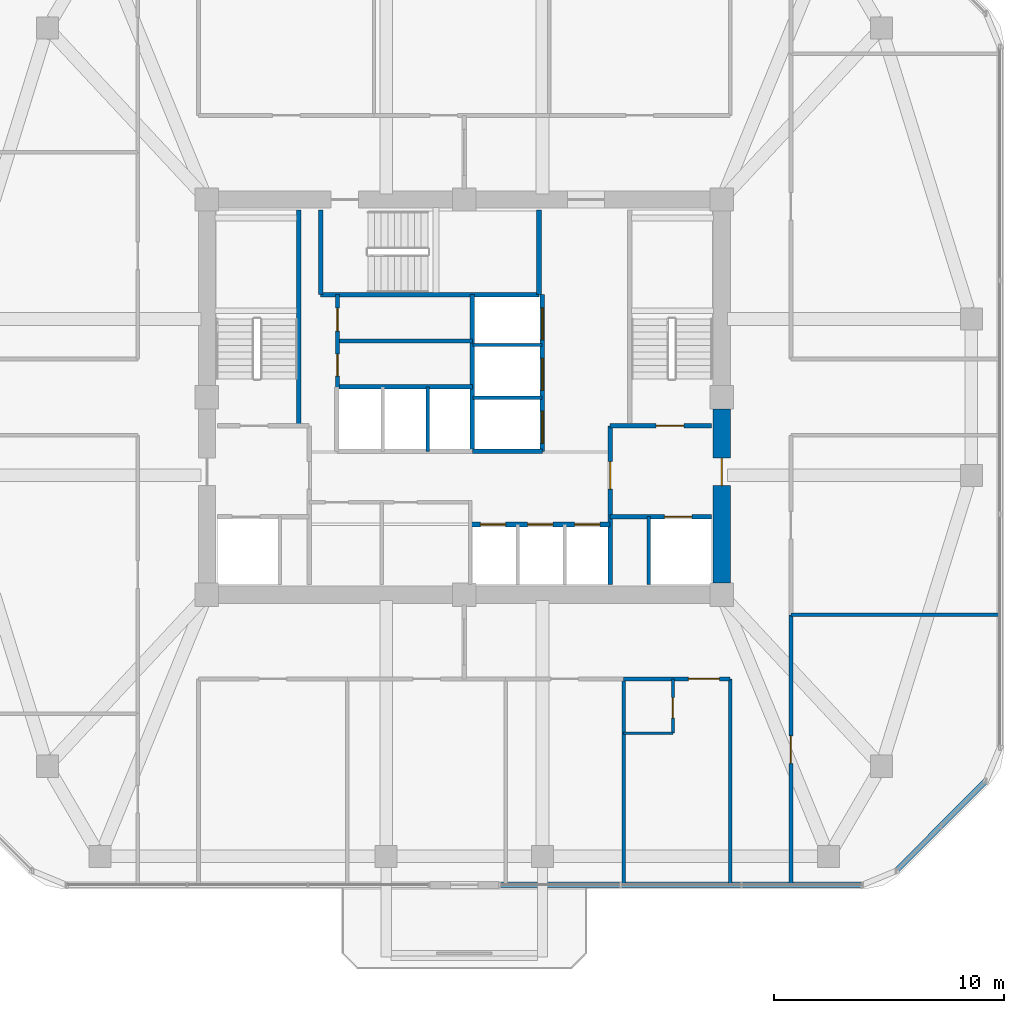
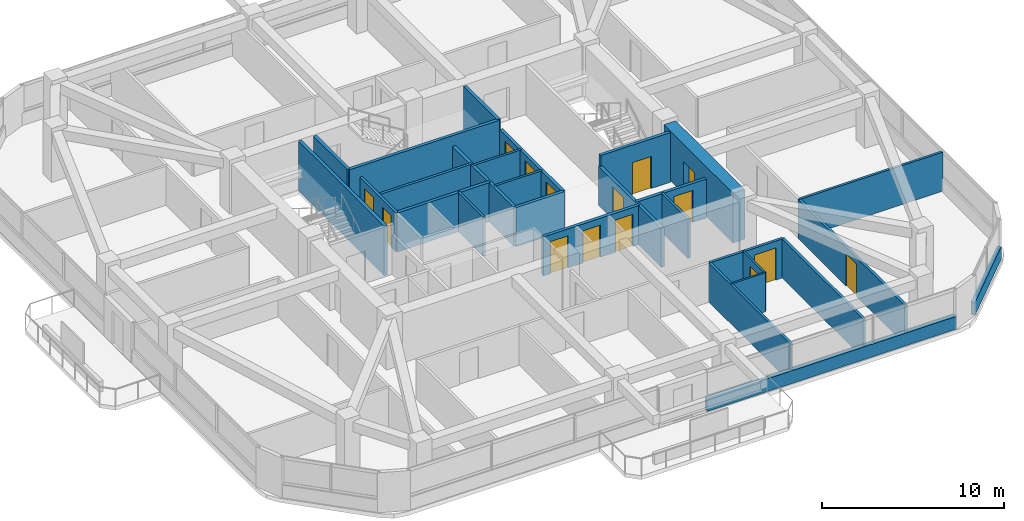
# One storey, part 8 of 12: 28 walls, 15 doors, 15 openings.
"""IFC4 building model written with IfcOpenShell, lengths in metres."""

from ifc_helpers import new_model, si_unit, derived_unit, direction, frame, frame_2d, origin, place, context, subcontext, project, spatial, rectangle, extrude, material, layer, layer_set, type_object, element, fill, save


model = new_model("IFC4")

# Units and contexts
model_context = context("Model", 3, precision=1e-05, world=origin(), true_north=direction((0.0, 1.0)))
body_context = subcontext(model_context, "Body", "Model", "MODEL_VIEW")
ifc_project = project(units=[si_unit("LENGTHUNIT", "METRE"), si_unit("AREAUNIT", "SQUARE_METRE"), si_unit("VOLUMEUNIT", "CUBIC_METRE"), si_unit("PLANEANGLEUNIT", "RADIAN"), si_unit("MASSUNIT", "GRAM", prefix="KILO"), derived_unit("THERMALTRANSMITTANCEUNIT", [(si_unit("POWERUNIT", "WATT"), 1), (si_unit("LENGTHUNIT", "METRE"), -2), (si_unit("THERMODYNAMICTEMPERATUREUNIT", "KELVIN"), -1)])], contexts=[model_context])

# Site, building, storey
site_placement = place(None, origin())
site = spatial("IfcSite", under=ifc_project, at=site_placement, CompositionType="ELEMENT")
building_placement = place(site_placement, origin())
building = spatial("IfcBuilding", under=site, at=building_placement, Name="Koralith Skygarden Medical Center", CompositionType="ELEMENT")
storey_placement = place(building_placement, frame((0.0, 0.0, 163.6201171875)))
storey = spatial("IfcBuildingStorey", under=building, at=storey_placement, Name="L42", CompositionType="ELEMENT", Elevation=163.6201171875)

# Walls
ifc_material_1 = material(Name="Gypsum Board Partition")
ifc_layer_1 = layer(ifc_material_1, 0.14990234375)
ifc_layer_set_1 = layer_set([ifc_layer_1], Name="Gypsum Board Partition")
wall_type_1 = type_object("IfcWallType", Name="Clinical Acoustic Partition 150", PredefinedType="PARTITIONING", material=ifc_layer_set_1)
wall_1_placement = place(storey_placement, frame((43.93603515625, 13.639892578125, 0.0), z_axis=(0.0, 0.0, 1.0), x_axis=(0.0, -1.0, 0.0)))
element("IfcWall", 1, at=wall_1_placement, inside=storey, type_object=wall_type_1, Name="L42 Clinical Acoustic Partition 150 W-PART-L42-S-03", PredefinedType="PARTITIONING", context=body_context, shape_type="SweptSolid", body=[
    extrude(rectangle(XDim=8.93994140625, YDim=0.14990234375, at=frame_2d((4.469970703125, 0.0))), origin(), (0.0, 0.0, 1.0), 2.60986328125),
])
wall_2_placement = place(storey_placement, frame((51.2099609375, 16.424072265625, 0.0), z_axis=(0.0, 0.0, 1.0), x_axis=(1.0, 0.0, 0.0)))
element("IfcWall", 2, at=wall_2_placement, inside=storey, type_object=wall_type_1, Name="L42 Clinical Acoustic Partition 150 W-PART-L42-ES-01", PredefinedType="PARTITIONING", context=body_context, shape_type="SweptSolid", body=[
    extrude(rectangle(XDim=9.073974609375, YDim=0.14990234375, at=frame_2d((4.537109375, 0.0))), origin(), (0.0, 0.0, 1.0), 2.60986328125),
])
ifc_layer_2 = layer(ifc_material_1, 0.1650390625)
ifc_layer_set_2 = layer_set([ifc_layer_2], Name="Gypsum Board Partition")
wall_type_2 = type_object("IfcWallType", Name="Clinical Corridor Partition 165", PredefinedType="PARTITIONING", material=ifc_layer_set_2)
wall_3_placement = place(storey_placement, frame((48.570068359375, 4.699951171875, 0.0), z_axis=(0.0, 0.0, 1.0), x_axis=(0.0, 1.0, 0.0)))
element("IfcWall", 3, at=wall_3_placement, inside=storey, type_object=wall_type_2, Name="L42 Clinical Corridor Partition 165 W-HCOR-L42-SE", PredefinedType="PARTITIONING", context=body_context, shape_type="SweptSolid", body=[
    extrude(rectangle(XDim=8.93994140625, YDim=0.1650390625, at=frame_2d((4.469970703125, 0.0))), origin(), (0.0, 0.0, 1.0), 2.60986328125),
])

# Wall, opening, door
wall_4_placement = place(storey_placement, frame((43.93603515625, 13.639892578125, 0.0), z_axis=(0.0, 0.0, 1.0), x_axis=(1.0, 0.0, 0.0)))
wall_4 = element("IfcWall", 4, at=wall_4_placement, inside=storey, type_object=wall_type_2, Name="L42 Clinical Corridor Partition 165 W-CORR-L42-S-04", PredefinedType="PARTITIONING", context=body_context, shape_type="SweptSolid", body=[
    extrude(rectangle(XDim=4.634033203125, YDim=0.1650390625, at=frame_2d((2.31689453125, 0.0))), origin(), (0.0, 0.0, 1.0), 2.60986328125),
])
opening_1_placement = place(wall_4_placement, frame((2.81005859375, 0.0, 0.0)))
opening_1 = element("IfcOpeningElement", 5, at=opening_1_placement, cuts=wall_4, Name="Opening D-BED", PredefinedType="OPENING", context=body_context, shape_type="SweptSolid", body=[
    extrude(rectangle(XDim=1.35009765625, YDim=2.14990234375, at=frame_2d((0.675048828125, 1.074951171875))), frame((0.0, 0.092529296875, 0.0), z_axis=(0.0, -1.0, 0.0), x_axis=(1.0, 0.0, 0.0)), (0.0, 0.0, 1.0), 0.18505859375),
])
ifc_material_2 = material(Name="Aluminium 6063-T6", Category="aluminium")
door_type_1 = type_object("IfcDoorType", Name="Inpatient Bed Leaf Door D-BED 1350", OperationType="NOTDEFINED", PredefinedType="DOOR", material=ifc_material_2)
door_1_placement = place(opening_1_placement, frame((1.35009765625, 0.0, 0.0), z_axis=(0.0, 0.0, 1.0), x_axis=(-1.0, 0.0, 0.0)))
door_1 = element("IfcDoor", 6, at=door_1_placement, inside=storey, type_object=door_type_1, Name="L42 Inpatient Bedroom 07 Door", OperationType="SINGLE_SWING_RIGHT", OverallHeight=2.14990234375, OverallWidth=1.35009765625, PredefinedType="DOOR", context=body_context, shape_type="SweptSolid", body=[
    extrude(rectangle(XDim=1.35009765625, YDim=2.14990234375, at=frame_2d((0.675048828125, 1.074951171875))), frame((0.0, 0.02490234375, 0.0), z_axis=(0.0, -1.0, 0.0), x_axis=(1.0, 0.0, 0.0)), (0.0, 0.0, 1.0), 0.050048828125),
])
fill(opening_1, door_1)

wall_5_placement = place(storey_placement, frame((51.2099609375, 4.699951171875, 0.0), z_axis=(0.0, 0.0, 1.0), x_axis=(0.0, 1.0, 0.0)))
wall_5 = element("IfcWall", 7, at=wall_5_placement, inside=storey, type_object=wall_type_2, Name="L42 Clinical Corridor Partition 165 W-CORR-L42-ES-01", PredefinedType="PARTITIONING", context=body_context, shape_type="SweptSolid", body=[
    extrude(rectangle(XDim=11.72412109375, YDim=0.1650390625, at=frame_2d((5.862060546875, 0.0))), origin(), (0.0, 0.0, 1.0), 2.60986328125),
])
opening_2_placement = place(wall_5_placement, frame((5.261962890625, 0.0, 0.0)))
opening_2 = element("IfcOpeningElement", 8, at=opening_2_placement, cuts=wall_5, Name="Opening D-CLN", PredefinedType="OPENING", context=body_context, shape_type="SweptSolid", body=[
    extrude(rectangle(XDim=1.199951171875, YDim=2.14990234375, at=frame_2d((0.60009765625, 1.074951171875))), frame((0.0, 0.092529296875, 0.0), z_axis=(0.0, -1.0, 0.0), x_axis=(1.0, 0.0, 0.0)), (0.0, 0.0, 1.0), 0.18505859375),
])
door_type_2 = type_object("IfcDoorType", Name="Clinical Corridor Door D-CLN 1200", OperationType="NOTDEFINED", PredefinedType="DOOR", material=ifc_material_2)
door_2_placement = place(opening_2_placement, origin())
door_2 = element("IfcDoor", 9, at=door_2_placement, inside=storey, type_object=door_type_2, Name="L42 Perinatal Ultrasound Exam Room 12 Door", OperationType="SINGLE_SWING_LEFT", OverallHeight=2.14990234375, OverallWidth=1.199951171875, PredefinedType="DOOR", context=body_context, shape_type="SweptSolid", body=[
    extrude(rectangle(XDim=1.199951171875, YDim=2.14990234375, at=frame_2d((0.60009765625, 1.074951171875))), frame((0.0, 0.02490234375, 0.0), z_axis=(0.0, -1.0, 0.0), x_axis=(1.0, 0.0, 0.0)), (0.0, 0.0, 1.0), 0.050048828125),
])
fill(opening_2, door_2)

ifc_layer_3 = layer(ifc_material_1, 0.199951171875)
ifc_layer_set_3 = layer_set([ifc_layer_3], Name="Gypsum Board Partition")
wall_type_3 = type_object("IfcWallType", Name="Fire Shaft Wall 200", PredefinedType="SOLIDWALL", material=ifc_layer_set_3)
wall_6_placement = place(storey_placement, frame((43.35009765625, 20.699951171875, 0.0), z_axis=(0.0, 0.0, 1.0), x_axis=(1.0, 0.0, 0.0)))
wall_6 = element("IfcWall", 10, at=wall_6_placement, inside=storey, type_object=wall_type_3, Name="L42 Fire Shaft Wall 200 W-CORE-L42-FF2-N", PredefinedType="SOLIDWALL", context=body_context, shape_type="SweptSolid", body=[
    extrude(rectangle(XDim=4.39990234375, YDim=0.199951171875, at=frame_2d((2.199951171875, 0.0))), origin(), (0.0, 0.0, 1.0), 2.60986328125),
])
opening_3_placement = place(wall_6_placement, frame((2.35009765625, 0.0, 0.0)))
opening_3 = element("IfcOpeningElement", 11, at=opening_3_placement, cuts=wall_6, Name="Opening LD-FF", PredefinedType="OPENING", context=body_context, shape_type="SweptSolid", body=[
    extrude(rectangle(XDim=1.199951171875, YDim=2.14990234375, at=frame_2d((0.60009765625, 1.074951171875))), frame((0.0, 0.10986328125, 0.0), z_axis=(0.0, -1.0, 0.0), x_axis=(1.0, 0.0, 0.0)), (0.0, 0.0, 1.0), 0.219970703125),
])
ifc_material_3 = material(Name="Steel ASTM A500 Grade C", Category="steel")
door_type_3 = type_object("IfcDoorType", Name="Fire Lift Sliding Landing Door LD-FF 1200", OperationType="NOTDEFINED", PredefinedType="DOOR", material=ifc_material_3)
door_3_placement = place(opening_3_placement, origin())
door_3 = element("IfcDoor", 12, at=door_3_placement, inside=storey, type_object=door_type_3, Name="L42 Fire Service Elevator FF2 Landing Door", OperationType="SLIDING_TO_RIGHT", OverallHeight=2.14990234375, OverallWidth=1.199951171875, PredefinedType="DOOR", context=body_context, shape_type="SweptSolid", body=[
    extrude(rectangle(XDim=1.199951171875, YDim=2.14990234375, at=frame_2d((0.60009765625, 1.074951171875))), frame((0.0, 0.02490234375, 0.0), z_axis=(0.0, -1.0, 0.0), x_axis=(1.0, 0.0, 0.0)), (0.0, 0.0, 1.0), 0.050048828125),
])
fill(opening_3, door_3)

wall_7_placement = place(storey_placement, frame((43.35009765625, 17.75, 0.0), z_axis=(0.0, 0.0, 1.0), x_axis=(0.0, 1.0, 0.0)))
wall_7 = element("IfcWall", 13, at=wall_7_placement, inside=storey, type_object=wall_type_3, Name="L42 Fire Shaft Wall 200 W-CORE-L42-FSAEE-W", PredefinedType="SOLIDWALL", context=body_context, shape_type="SweptSolid", body=[
    extrude(rectangle(XDim=6.89990234375, YDim=0.199951171875, at=frame_2d((3.449951171875, 0.0))), origin(), (0.0, 0.0, 1.0), 2.60986328125),
])
opening_4_placement = place(wall_7_placement, frame((4.14990234375, 0.0, 0.0)))
opening_4 = element("IfcOpeningElement", 14, at=opening_4_placement, cuts=wall_7, Name="Opening D-ST60", PredefinedType="OPENING", context=body_context, shape_type="SweptSolid", body=[
    extrude(rectangle(XDim=1.199951171875, YDim=2.14990234375, at=frame_2d((0.60009765625, 1.074951171875))), frame((0.0, 0.10986328125, 0.0), z_axis=(0.0, -1.0, 0.0), x_axis=(1.0, 0.0, 0.0)), (0.0, 0.0, 1.0), 0.219970703125),
])
door_type_4 = type_object("IfcDoorType", Name="Smokeproof Stair Fire Door FD60S 1200", OperationType="NOTDEFINED", PredefinedType="DOOR", material=ifc_material_3)
door_4_placement = place(opening_4_placement, frame((1.199951171875, 0.0, 0.0), z_axis=(0.0, 0.0, 1.0), x_axis=(-1.0, 0.0, 0.0)))
door_4 = element("IfcDoor", 15, at=door_4_placement, inside=storey, type_object=door_type_4, Name="L42 East Firefighting Lobby Inner Fire Door", OperationType="SINGLE_SWING_RIGHT", OverallHeight=2.14990234375, OverallWidth=1.199951171875, PredefinedType="DOOR", context=body_context, shape_type="SweptSolid", body=[
    extrude(rectangle(XDim=1.199951171875, YDim=2.14990234375, at=frame_2d((0.60009765625, 1.074951171875))), frame((0.0, 0.02490234375, 0.0), z_axis=(0.0, -1.0, 0.0), x_axis=(1.0, 0.0, 0.0)), (0.0, 0.0, 1.0), 0.050048828125),
])
fill(opening_4, door_4)

# Wall, openings, doors
wall_8_placement = place(storey_placement, frame((37.25, 20.360107421875, 0.0), z_axis=(0.0, 0.0, 1.0), x_axis=(1.0, 0.0, 0.0)))
wall_8 = element("IfcWall", 16, at=wall_8_placement, inside=storey, type_object=wall_type_3, Name="L42 Fire Shaft Wall 200 W-CORE-L42-PM-N", PredefinedType="SOLIDWALL", context=body_context, shape_type="SweptSolid", body=[
    extrude(rectangle(XDim=6.10009765625, YDim=0.199951171875, at=frame_2d((3.050048828125, 0.0))), origin(), (0.0, 0.0, 1.0), 2.60986328125),
])
opening_5_placement = place(wall_8_placement, frame((0.449951171875, 0.0, 0.0)))
opening_5 = element("IfcOpeningElement", 17, at=opening_5_placement, cuts=wall_8, Name="Opening LD-P", PredefinedType="OPENING", context=body_context, shape_type="SweptSolid", body=[
    extrude(rectangle(XDim=1.10009765625, YDim=2.14990234375, at=frame_2d((0.550048828125, 1.074951171875))), frame((0.0, 0.10986328125, 0.0), z_axis=(0.0, -1.0, 0.0), x_axis=(1.0, 0.0, 0.0)), (0.0, 0.0, 1.0), 0.219970703125),
])
opening_6_placement = place(wall_8_placement, frame((2.5, 0.0, 0.0)))
opening_6 = element("IfcOpeningElement", 18, at=opening_6_placement, cuts=wall_8, Name="Opening LD-P", PredefinedType="OPENING", context=body_context, shape_type="SweptSolid", body=[
    extrude(rectangle(XDim=1.10009765625, YDim=2.14990234375, at=frame_2d((0.550048828125, 1.074951171875))), frame((0.0, 0.10986328125, 0.0), z_axis=(0.0, -1.0, 0.0), x_axis=(1.0, 0.0, 0.0)), (0.0, 0.0, 1.0), 0.219970703125),
])
opening_7_placement = place(wall_8_placement, frame((4.550048828125, 0.0, 0.0)))
opening_7 = element("IfcOpeningElement", 19, at=opening_7_placement, cuts=wall_8, Name="Opening LD-P", PredefinedType="OPENING", context=body_context, shape_type="SweptSolid", body=[
    extrude(rectangle(XDim=1.10009765625, YDim=2.14990234375, at=frame_2d((0.550048828125, 1.074951171875))), frame((0.0, 0.10986328125, 0.0), z_axis=(0.0, -1.0, 0.0), x_axis=(1.0, 0.0, 0.0)), (0.0, 0.0, 1.0), 0.219970703125),
])
door_type_5 = type_object("IfcDoorType", Name="Passenger Lift Sliding Landing Door LD-P 1100", OperationType="NOTDEFINED", PredefinedType="DOOR", material=ifc_material_3)
door_5_placement = place(opening_5_placement, origin())
door_5 = element("IfcDoor", 20, at=door_5_placement, inside=storey, type_object=door_type_5, Name="L42 Passenger Elevator PM1 Landing Door", OperationType="SLIDING_TO_LEFT", OverallHeight=2.14990234375, OverallWidth=1.10009765625, PredefinedType="DOOR", context=body_context, shape_type="SweptSolid", body=[
    extrude(rectangle(XDim=1.10009765625, YDim=2.14990234375, at=frame_2d((0.550048828125, 1.074951171875))), frame((0.0, 0.02490234375, 0.0), z_axis=(0.0, -1.0, 0.0), x_axis=(1.0, 0.0, 0.0)), (0.0, 0.0, 1.0), 0.050048828125),
])
fill(opening_5, door_5)
door_6_placement = place(opening_6_placement, origin())
door_6 = element("IfcDoor", 21, at=door_6_placement, inside=storey, type_object=door_type_5, Name="L42 Passenger Elevator PM2 Landing Door", OperationType="SLIDING_TO_LEFT", OverallHeight=2.14990234375, OverallWidth=1.10009765625, PredefinedType="DOOR", context=body_context, shape_type="SweptSolid", body=[
    extrude(rectangle(XDim=1.10009765625, YDim=2.14990234375, at=frame_2d((0.550048828125, 1.074951171875))), frame((0.0, 0.02490234375, 0.0), z_axis=(0.0, -1.0, 0.0), x_axis=(1.0, 0.0, 0.0)), (0.0, 0.0, 1.0), 0.050048828125),
])
fill(opening_6, door_6)
door_7_placement = place(opening_7_placement, origin())
door_7 = element("IfcDoor", 22, at=door_7_placement, inside=storey, type_object=door_type_5, Name="L42 Passenger Elevator PM3 Landing Door", OperationType="SLIDING_TO_LEFT", OverallHeight=2.14990234375, OverallWidth=1.10009765625, PredefinedType="DOOR", context=body_context, shape_type="SweptSolid", body=[
    extrude(rectangle(XDim=1.10009765625, YDim=2.14990234375, at=frame_2d((0.550048828125, 1.074951171875))), frame((0.0, 0.02490234375, 0.0), z_axis=(0.0, -1.0, 0.0), x_axis=(1.0, 0.0, 0.0)), (0.0, 0.0, 1.0), 0.050048828125),
])
fill(opening_7, door_7)

# Walls
wall_9_placement = place(storey_placement, frame((31.449951171875, 26.35009765625, 0.0), z_axis=(0.0, 0.0, 1.0), x_axis=(1.0, 0.0, 0.0)))
element("IfcWall", 23, at=wall_9_placement, inside=storey, type_object=wall_type_3, Name="L42 Fire Shaft Wall 200 W-CORE-L42-PH-N", PredefinedType="SOLIDWALL", context=body_context, shape_type="SweptSolid", body=[
    extrude(rectangle(XDim=5.900146484375, YDim=0.199951171875, at=frame_2d((2.9501953125, 0.0))), origin(), (0.0, 0.0, 1.0), 2.60986328125),
])
wall_10_placement = place(storey_placement, frame((37.35009765625, 23.5400390625, 0.0), z_axis=(0.0, 0.0, 1.0), x_axis=(0.0, 1.0, 0.0)))
element("IfcWall", 24, at=wall_10_placement, inside=storey, type_object=wall_type_3, Name="L42 Fire Shaft Wall 200 W-CORE-L42-SV-W", PredefinedType="SOLIDWALL", context=body_context, shape_type="SweptSolid", body=[
    extrude(rectangle(XDim=6.820068359375, YDim=0.199951171875, at=frame_2d((3.41015625, 0.0))), origin(), (0.0, 0.0, 1.0), 2.60986328125),
])
wall_11_placement = place(storey_placement, frame((37.35009765625, 23.5400390625, 0.0), z_axis=(0.0, 0.0, 1.0), x_axis=(1.0, 0.0, 0.0)))
element("IfcWall", 25, at=wall_11_placement, inside=storey, type_object=wall_type_3, Name="L42 Fire Shaft Wall 200 W-CORE-L42-SV-S", PredefinedType="SOLIDWALL", context=body_context, shape_type="SweptSolid", body=[
    extrude(rectangle(XDim=3.0498046875, YDim=0.199951171875, at=frame_2d((1.52490234375, 0.0))), origin(), (0.0, 0.0, 1.0), 2.60986328125),
])

# Wall, openings, doors
wall_12_placement = place(storey_placement, frame((40.39990234375, 23.5400390625, 0.0), z_axis=(0.0, 0.0, 1.0), x_axis=(0.0, 1.0, 0.0)))
wall_12 = element("IfcWall", 26, at=wall_12_placement, inside=storey, type_object=wall_type_3, Name="L42 Fire Shaft Wall 200 W-CORE-L42-SV-E", PredefinedType="SOLIDWALL", context=body_context, shape_type="SweptSolid", body=[
    extrude(rectangle(XDim=6.820068359375, YDim=0.199951171875, at=frame_2d((3.41015625, 0.0))), origin(), (0.0, 0.0, 1.0), 2.60986328125),
])
opening_8_placement = place(wall_12_placement, frame((0.35009765625, 0.0, 0.0)))
opening_8 = element("IfcOpeningElement", 27, at=opening_8_placement, cuts=wall_12, Name="Opening LD-SV", PredefinedType="OPENING", context=body_context, shape_type="SweptSolid", body=[
    extrude(rectangle(XDim=1.39990234375, YDim=2.199951171875, at=frame_2d((0.699951171875, 1.10009765625))), frame((0.0, 0.10986328125, 0.0), z_axis=(0.0, -1.0, 0.0), x_axis=(1.0, 0.0, 0.0)), (0.0, 0.0, 1.0), 0.219970703125),
])
opening_9_placement = place(wall_12_placement, frame((2.64990234375, 0.0, 0.0)))
opening_9 = element("IfcOpeningElement", 28, at=opening_9_placement, cuts=wall_12, Name="Opening LD-SV", PredefinedType="OPENING", context=body_context, shape_type="SweptSolid", body=[
    extrude(rectangle(XDim=1.39990234375, YDim=2.199951171875, at=frame_2d((0.699951171875, 1.10009765625))), frame((0.0, 0.10986328125, 0.0), z_axis=(0.0, -1.0, 0.0), x_axis=(1.0, 0.0, 0.0)), (0.0, 0.0, 1.0), 0.219970703125),
])
opening_10_placement = place(wall_12_placement, frame((4.85009765625, 0.0, 0.0)))
opening_10 = element("IfcOpeningElement", 29, at=opening_10_placement, cuts=wall_12, Name="Opening LD-SV", PredefinedType="OPENING", context=body_context, shape_type="SweptSolid", body=[
    extrude(rectangle(XDim=1.39990234375, YDim=2.199951171875, at=frame_2d((0.699951171875, 1.10009765625))), frame((0.0, 0.10986328125, 0.0), z_axis=(0.0, -1.0, 0.0), x_axis=(1.0, 0.0, 0.0)), (0.0, 0.0, 1.0), 0.219970703125),
])
door_type_6 = type_object("IfcDoorType", Name="Bed Lift Sliding Landing Door LD-SV 1400", OperationType="NOTDEFINED", PredefinedType="DOOR", material=ifc_material_3)
door_8_placement = place(opening_8_placement, origin())
door_8 = element("IfcDoor", 30, at=door_8_placement, inside=storey, type_object=door_type_6, Name="L42 Bed Elevator BD1 Landing Door", OperationType="SLIDING_TO_LEFT", OverallHeight=2.199951171875, OverallWidth=1.39990234375, PredefinedType="DOOR", context=body_context, shape_type="SweptSolid", body=[
    extrude(rectangle(XDim=1.39990234375, YDim=2.199951171875, at=frame_2d((0.699951171875, 1.10009765625))), frame((0.0, 0.02490234375, 0.0), z_axis=(0.0, -1.0, 0.0), x_axis=(1.0, 0.0, 0.0)), (0.0, 0.0, 1.0), 0.050048828125),
])
fill(opening_8, door_8)
door_9_placement = place(opening_9_placement, origin())
door_9 = element("IfcDoor", 31, at=door_9_placement, inside=storey, type_object=door_type_6, Name="L42 Service Elevator BD2 Landing Door", OperationType="SLIDING_TO_LEFT", OverallHeight=2.199951171875, OverallWidth=1.39990234375, PredefinedType="DOOR", context=body_context, shape_type="SweptSolid", body=[
    extrude(rectangle(XDim=1.39990234375, YDim=2.199951171875, at=frame_2d((0.699951171875, 1.10009765625))), frame((0.0, 0.02490234375, 0.0), z_axis=(0.0, -1.0, 0.0), x_axis=(1.0, 0.0, 0.0)), (0.0, 0.0, 1.0), 0.050048828125),
])
fill(opening_9, door_9)
door_10_placement = place(opening_10_placement, origin())
door_10 = element("IfcDoor", 32, at=door_10_placement, inside=storey, type_object=door_type_6, Name="L42 Trauma Elevator TR1 Landing Door", OperationType="SLIDING_TO_RIGHT", OverallHeight=2.199951171875, OverallWidth=1.39990234375, PredefinedType="DOOR", context=body_context, shape_type="SweptSolid", body=[
    extrude(rectangle(XDim=1.39990234375, YDim=2.199951171875, at=frame_2d((0.699951171875, 1.10009765625))), frame((0.0, 0.02490234375, 0.0), z_axis=(0.0, -1.0, 0.0), x_axis=(1.0, 0.0, 0.0)), (0.0, 0.0, 1.0), 0.050048828125),
])
fill(opening_10, door_10)

# Walls
ifc_material_4 = material(Name="Warm Oolitic Limestone Cladding", Category="masonry")
ifc_layer_4 = layer(ifc_material_4, 0.239990234375)
ifc_layer_set_4 = layer_set([ifc_layer_4], Name="Warm Oolitic Limestone Cladding")
wall_type_4 = type_object("IfcWallType", Name="Limestone Spandrel Sill Backup Wall 240", PredefinedType="SOLIDWALL", material=ifc_layer_set_4)
wall_13_placement = place(storey_placement, frame((38.5390625, 4.679931640625, 0.0), z_axis=(0.0, 0.0, 1.0), x_axis=(1.0, 0.0, 0.0)))
element("IfcWall", 33, at=wall_13_placement, inside=storey, type_object=wall_type_4, Name="L42 Sill Spandrel S-R", PredefinedType="SOLIDWALL", context=body_context, shape_type="SweptSolid", body=[
    extrude(rectangle(XDim=15.7900390625, YDim=0.239990234375, at=frame_2d((7.89501953125, 0.0))), origin(), (0.0, 0.0, 1.0), 0.849853515625),
])
wall_14_placement = place(storey_placement, frame((55.780029296875, 5.281005859375, 0.0), z_axis=(0.0, 0.0, 1.0), x_axis=(0.707084777957, 0.707128783731, 0.0)))
element("IfcWall", 34, at=wall_14_placement, inside=storey, type_object=wall_type_4, Name="L42 Sill Spandrel SE", PredefinedType="SOLIDWALL", context=body_context, shape_type="SweptSolid", body=[
    extrude(rectangle(XDim=5.5478515625, YDim=0.239990234375, at=frame_2d((2.77392578125, 0.0))), origin(), (0.0, 0.0, 1.0), 0.849853515625),
])

# Wall, opening, door
ifc_material_5 = material(Name="Concrete C70/85", Category="concrete")
ifc_layer_5 = layer(ifc_material_5, 0.75)
ifc_layer_set_5 = layer_set([ifc_layer_5], Name="Concrete C70/85")
wall_type_5 = type_object("IfcWallType", Name="Mid Core Shear Wall 750", PredefinedType="SHEAR", material=ifc_layer_set_5)
wall_15_placement = place(storey_placement, frame((48.199951171875, 17.804931640625, 0.0), z_axis=(0.0, 0.0, 1.0), x_axis=(0.0, 1.0, 0.0)))
wall_15 = element("IfcWall", 35, at=wall_15_placement, inside=storey, type_object=wall_type_5, Name="L42 Core Shear Wall Segment 3", PredefinedType="SHEAR", context=body_context, shape_type="SweptSolid", body=[
    extrude(rectangle(XDim=7.590087890625, YDim=0.75, at=frame_2d((3.794921875, 0.0))), origin(), (0.0, 0.0, 1.0), 3.31982421875),
])
opening_11_placement = place(wall_15_placement, frame((4.2451171875, 0.0, 0.0)))
opening_11 = element("IfcOpeningElement", 36, at=opening_11_placement, cuts=wall_15, Name="Opening D-ST60", PredefinedType="OPENING", context=body_context, shape_type="SweptSolid", body=[
    extrude(rectangle(XDim=1.199951171875, YDim=2.14990234375, at=frame_2d((0.60009765625, 1.074951171875))), frame((0.0, 0.385009765625, 0.0), z_axis=(0.0, -1.0, 0.0), x_axis=(1.0, 0.0, 0.0)), (0.0, 0.0, 1.0), 0.77001953125),
])
door_11_placement = place(opening_11_placement, frame((1.199951171875, 0.0, 0.0), z_axis=(0.0, 0.0, 1.0), x_axis=(-1.0, 0.0, 0.0)))
door_11 = element("IfcDoor", 37, at=door_11_placement, inside=storey, type_object=door_type_4, Name="L42 East Corridor to Firefighting Lobby Door", OperationType="SINGLE_SWING_RIGHT", OverallHeight=2.14990234375, OverallWidth=1.199951171875, PredefinedType="DOOR", context=body_context, shape_type="SweptSolid", body=[
    extrude(rectangle(XDim=1.199951171875, YDim=2.14990234375, at=frame_2d((0.60009765625, 1.074951171875))), frame((0.0, 0.02490234375, 0.0), z_axis=(0.0, -1.0, 0.0), x_axis=(1.0, 0.0, 0.0)), (0.0, 0.0, 1.0), 0.050048828125),
])
fill(opening_11, door_11)

ifc_layer_6 = layer(ifc_material_1, 0.1201171875)
ifc_layer_set_6 = layer_set([ifc_layer_6], Name="Gypsum Board Partition")
wall_type_6 = type_object("IfcWallType", Name="Plumbing Wet Wall 120", PredefinedType="PLUMBINGWALL", material=ifc_layer_set_6)
wall_16_placement = place(storey_placement, frame((46.075927734375, 11.280029296875, 0.0), z_axis=(0.0, 0.0, 1.0), x_axis=(0.0, 1.0, 0.0)))
wall_16 = element("IfcWall", 38, at=wall_16_placement, inside=storey, type_object=wall_type_6, Name="L42 Plumbing Wet Wall 120 W-ENS-L42-07A", PredefinedType="PLUMBINGWALL", context=body_context, shape_type="SweptSolid", body=[
    extrude(rectangle(XDim=2.35986328125, YDim=0.1201171875, at=frame_2d((1.179931640625, 0.0))), origin(), (0.0, 0.0, 1.0), 2.60986328125),
])
opening_12_placement = place(wall_16_placement, frame((0.64990234375, 0.0, 0.0)))
opening_12 = element("IfcOpeningElement", 39, at=opening_12_placement, cuts=wall_16, Name="Opening D-ENS", PredefinedType="OPENING", context=body_context, shape_type="SweptSolid", body=[
    extrude(rectangle(XDim=0.89990234375, YDim=2.10009765625, at=frame_2d((0.449951171875, 1.050048828125))), frame((0.0, 0.070068359375, 0.0), z_axis=(0.0, -1.0, 0.0), x_axis=(1.0, 0.0, 0.0)), (0.0, 0.0, 1.0), 0.14013671875),
])
door_type_7 = type_object("IfcDoorType", Name="En-Suite Bathroom Door D-ENS 900", OperationType="NOTDEFINED", PredefinedType="DOOR", material=ifc_material_2)
door_12_placement = place(opening_12_placement, frame((0.89990234375, 0.0, 0.0), z_axis=(0.0, 0.0, 1.0), x_axis=(-1.0, 0.0, 0.0)))
door_12 = element("IfcDoor", 40, at=door_12_placement, inside=storey, type_object=door_type_7, Name="L42 En-Suite 07 Door", OperationType="SINGLE_SWING_RIGHT", OverallHeight=2.10009765625, OverallWidth=0.89990234375, PredefinedType="DOOR", context=body_context, shape_type="SweptSolid", body=[
    extrude(rectangle(XDim=0.89990234375, YDim=2.10009765625, at=frame_2d((0.449951171875, 1.050048828125))), frame((0.0, 0.02490234375, 0.0), z_axis=(0.0, -1.0, 0.0), x_axis=(1.0, 0.0, 0.0)), (0.0, 0.0, 1.0), 0.050048828125),
])
fill(opening_12, door_12)

# Wall
wall_17_placement = place(storey_placement, frame((43.93603515625, 11.280029296875, 0.0), z_axis=(0.0, 0.0, 1.0), x_axis=(1.0, 0.0, 0.0)))
element("IfcWall", 41, at=wall_17_placement, inside=storey, type_object=wall_type_6, Name="L42 Plumbing Wet Wall 120 W-ENS-L42-07B", PredefinedType="PLUMBINGWALL", context=body_context, shape_type="SweptSolid", body=[
    extrude(rectangle(XDim=2.139892578125, YDim=0.1201171875, at=frame_2d((1.06982421875, 0.0))), origin(), (0.0, 0.0, 1.0), 2.60986328125),
])

# Wall, openings, doors
ifc_layer_7 = layer(ifc_material_1, 0.1650390625)
ifc_layer_set_7 = layer_set([ifc_layer_7], Name="Gypsum Board Partition")
wall_type_7 = type_object("IfcWallType", Name="Plumbing Wet Wall 165", PredefinedType="PLUMBINGWALL", material=ifc_layer_set_7)
wall_18_placement = place(storey_placement, frame((31.47998046875, 26.320068359375, 0.0), z_axis=(0.0, 0.0, 1.0), x_axis=(0.0, 1.0, 0.0)))
wall_18 = element("IfcWall", 42, at=wall_18_placement, inside=storey, type_object=wall_type_7, Name="L42 Plumbing Wet Wall 165 W-CORE-L42-FLEX-W", PredefinedType="PLUMBINGWALL", context=body_context, shape_type="SweptSolid", body=[
    extrude(rectangle(XDim=4.0400390625, YDim=0.1650390625, at=frame_2d((2.02001953125, 0.0))), origin(), (0.0, 0.0, 1.0), 2.60986328125),
])
opening_13_placement = place(wall_18_placement, frame((0.5, 0.0, 0.0)))
opening_13 = element("IfcOpeningElement", 43, at=opening_13_placement, cuts=wall_18, Name="Opening D-WC", PredefinedType="OPENING", context=body_context, shape_type="SweptSolid", body=[
    extrude(rectangle(XDim=0.949951171875, YDim=2.10009765625, at=frame_2d((0.47509765625, 1.050048828125))), frame((0.0, 0.092529296875, 0.0), z_axis=(0.0, -1.0, 0.0), x_axis=(1.0, 0.0, 0.0)), (0.0, 0.0, 1.0), 0.18505859375),
])
opening_14_placement = place(wall_18_placement, frame((2.449951171875, 0.0, 0.0)))
opening_14 = element("IfcOpeningElement", 44, at=opening_14_placement, cuts=wall_18, Name="Opening D-SUP", PredefinedType="OPENING", context=body_context, shape_type="SweptSolid", body=[
    extrude(rectangle(XDim=1.0, YDim=2.14990234375, at=frame_2d((0.5, 1.074951171875))), frame((0.0, 0.092529296875, 0.0), z_axis=(0.0, -1.0, 0.0), x_axis=(1.0, 0.0, 0.0)), (0.0, 0.0, 1.0), 0.18505859375),
])
door_type_8 = type_object("IfcDoorType", Name="Accessible Toilet Door D-WC 950", OperationType="NOTDEFINED", PredefinedType="DOOR", material=ifc_material_2)
door_13_placement = place(opening_13_placement, frame((0.949951171875, 0.0, 0.0), z_axis=(0.0, 0.0, 1.0), x_axis=(-1.0, 0.0, 0.0)))
door_13 = element("IfcDoor", 45, at=door_13_placement, inside=storey, type_object=door_type_8, Name="L42 Core Accessible WC Door", OperationType="SINGLE_SWING_LEFT", OverallHeight=2.10009765625, OverallWidth=0.949951171875, PredefinedType="DOOR", context=body_context, shape_type="SweptSolid", body=[
    extrude(rectangle(XDim=0.949951171875, YDim=2.10009765625, at=frame_2d((0.47509765625, 1.050048828125))), frame((0.0, 0.02490234375, 0.0), z_axis=(0.0, -1.0, 0.0), x_axis=(1.0, 0.0, 0.0)), (0.0, 0.0, 1.0), 0.050048828125),
])
fill(opening_13, door_13)
door_type_9 = type_object("IfcDoorType", Name="Clinical Support Door D-SUP 1000", OperationType="NOTDEFINED", PredefinedType="DOOR", material=ifc_material_2)
door_14_placement = place(opening_14_placement, frame((1.0, 0.0, 0.0), z_axis=(0.0, 0.0, 1.0), x_axis=(-1.0, 0.0, 0.0)))
door_14 = element("IfcDoor", 46, at=door_14_placement, inside=storey, type_object=door_type_9, Name="L42 Core Clean Utility Door", OperationType="SINGLE_SWING_RIGHT", OverallHeight=2.14990234375, OverallWidth=1.0, PredefinedType="DOOR", context=body_context, shape_type="SweptSolid", body=[
    extrude(rectangle(XDim=1.0, YDim=2.14990234375, at=frame_2d((0.5, 1.074951171875))), frame((0.0, 0.02490234375, 0.0), z_axis=(0.0, -1.0, 0.0), x_axis=(1.0, 0.0, 0.0)), (0.0, 0.0, 1.0), 0.050048828125),
])
fill(opening_14, door_14)

# Walls
wall_19_placement = place(storey_placement, frame((31.47998046875, 28.340087890625, 0.0), z_axis=(0.0, 0.0, 1.0), x_axis=(1.0, 0.0, 0.0)))
element("IfcWall", 47, at=wall_19_placement, inside=storey, type_object=wall_type_7, Name="L42 Plumbing Wet Wall 165 W-CORE-L42-FLEX-H0", PredefinedType="PLUMBINGWALL", context=body_context, shape_type="SweptSolid", body=[
    extrude(rectangle(XDim=5.8701171875, YDim=0.1650390625, at=frame_2d((2.93505859375, 0.0))), origin(), (0.0, 0.0, 1.0), 2.60986328125),
])
ifc_layer_8 = layer(ifc_material_1, 0.14990234375)
ifc_layer_set_8 = layer_set([ifc_layer_8], Name="Gypsum Board Partition")
wall_type_8 = type_object("IfcWallType", Name="Shaft Partition Wall 150", PredefinedType="PARTITIONING", material=ifc_layer_set_8)
wall_20_placement = place(storey_placement, frame((45.02001953125, 17.75, 0.0), z_axis=(0.0, 0.0, 1.0), x_axis=(0.0, 1.0, 0.0)))
element("IfcWall", 48, at=wall_20_placement, inside=storey, type_object=wall_type_8, Name="L42 Shaft Partition Wall 150 W-CORE-L42-RSRE-DIV", PredefinedType="PARTITIONING", context=body_context, shape_type="SweptSolid", body=[
    extrude(rectangle(XDim=2.949951171875, YDim=0.14990234375, at=frame_2d((1.47509765625, 0.0))), origin(), (0.0, 0.0, 1.0), 2.60986328125),
])
wall_21_placement = place(storey_placement, frame((35.39990234375, 23.5400390625, 0.0), z_axis=(0.0, 0.0, 1.0), x_axis=(0.0, 1.0, 0.0)))
element("IfcWall", 49, at=wall_21_placement, inside=storey, type_object=wall_type_8, Name="L42 Shaft Partition Wall 150 W-CORE-L42-PH-D2", PredefinedType="PARTITIONING", context=body_context, shape_type="SweptSolid", body=[
    extrude(rectangle(XDim=2.81005859375, YDim=0.14990234375, at=frame_2d((1.405029296875, 0.0))), origin(), (0.0, 0.0, 1.0), 2.60986328125),
])
for number, where, z_axis, x_axis, name in (
    (50, (37.3701171875, 25.8701171875, 0.0), (0.0, 0.0, 1.0), (1.0, 0.0, 0.0), "L42 Shaft Partition Wall 150 W-CORE-L42-SV-D1"),
    (51, (37.3701171875, 28.169921875, 0.0), (0.0, 0.0, 1.0), (1.0, 0.0, 0.0), "L42 Shaft Partition Wall 150 W-CORE-L42-SV-D2"),
):
    element("IfcWall", number, at=place(storey_placement, frame(where, z_axis=z_axis, x_axis=x_axis)), inside=storey, type_object=wall_type_8, Name=name, PredefinedType="PARTITIONING", context=body_context, shape_type="SweptSolid", body=[
        extrude(rectangle(XDim=3.009765625, YDim=0.14990234375, at=frame_2d((1.5048828125, 0.0))), origin(), (0.0, 0.0, 1.0), 2.60986328125),
    ])
ifc_material_6 = material(Name="Concrete C45/55", Category="concrete")
ifc_layer_9 = layer(ifc_material_6, 0.199951171875)
ifc_layer_set_9 = layer_set([ifc_layer_9], Name="Concrete C45/55")
wall_type_9 = type_object("IfcWallType", Name="Structural Stair Shaft Wall 200", PredefinedType="SHEAR", material=ifc_layer_set_9)
wall_22_placement = place(storey_placement, frame((29.800048828125, 24.64990234375, 0.0), z_axis=(0.0, 0.0, 1.0), x_axis=(0.0, 1.0, 0.0)))
element("IfcWall", 52, at=wall_22_placement, inside=storey, type_object=wall_type_9, Name="L42 Structural Stair Shaft Wall 200 W-CORE-L42-ST1-E", PredefinedType="SHEAR", context=body_context, shape_type="SweptSolid", body=[
    extrude(rectangle(XDim=9.400146484375, YDim=0.199951171875, at=frame_2d((4.7001953125, 0.0))), origin(), (0.0, 0.0, 1.0), 3.31982421875),
])

# Wall, opening, door
wall_23_placement = place(storey_placement, frame((43.35009765625, 24.64990234375, 0.0), z_axis=(0.0, 0.0, 1.0), x_axis=(1.0, 0.0, 0.0)))
wall_23 = element("IfcWall", 53, at=wall_23_placement, inside=storey, type_object=wall_type_9, Name="L42 Structural Stair Shaft Wall 200 W-CORE-L42-ST2-S", PredefinedType="SHEAR", context=body_context, shape_type="SweptSolid", body=[
    extrude(rectangle(XDim=4.39990234375, YDim=0.199951171875, at=frame_2d((2.199951171875, 0.0))), origin(), (0.0, 0.0, 1.0), 3.31982421875),
])
opening_15_placement = place(wall_23_placement, frame((2.0, 0.0, 0.0)))
opening_15 = element("IfcOpeningElement", 54, at=opening_15_placement, cuts=wall_23, Name="Opening D-ST60", PredefinedType="OPENING", context=body_context, shape_type="SweptSolid", body=[
    extrude(rectangle(XDim=1.199951171875, YDim=2.14990234375, at=frame_2d((0.60009765625, 1.074951171875))), frame((0.0, 0.10986328125, 0.0), z_axis=(0.0, -1.0, 0.0), x_axis=(1.0, 0.0, 0.0)), (0.0, 0.0, 1.0), 0.219970703125),
])
door_15_placement = place(opening_15_placement, origin())
door_15 = element("IfcDoor", 55, at=door_15_placement, inside=storey, type_object=door_type_4, Name="L42 Exit Stair ST2 Fire Door", OperationType="SINGLE_SWING_RIGHT", OverallHeight=2.14990234375, OverallWidth=1.199951171875, PredefinedType="DOOR", context=body_context, shape_type="SweptSolid", body=[
    extrude(rectangle(XDim=1.199951171875, YDim=2.14990234375, at=frame_2d((0.60009765625, 1.074951171875))), frame((0.0, 0.02490234375, 0.0), z_axis=(0.0, -1.0, 0.0), x_axis=(1.0, 0.0, 0.0)), (0.0, 0.0, 1.0), 0.050048828125),
])
fill(opening_15, door_15)

# Walls
wall_24_placement = place(storey_placement, frame((30.75, 30.360107421875, 0.0), z_axis=(0.0, 0.0, 1.0), x_axis=(1.0, 0.0, 0.0)))
element("IfcWall", 56, at=wall_24_placement, inside=storey, type_object=wall_type_9, Name="L42 Structural Stair Shaft Wall 200 W-CORE-L42-ST3-S", PredefinedType="SHEAR", context=body_context, shape_type="SweptSolid", body=[
    extrude(rectangle(XDim=9.5, YDim=0.199951171875, at=frame_2d((4.75, 0.0))), origin(), (0.0, 0.0, 1.0), 3.31982421875),
])
for number, where, z_axis, x_axis, name in (
    (57, (30.75, 30.360107421875, 0.0), (0.0, 0.0, 1.0), (0.0, 1.0, 0.0), "L42 Structural Stair Shaft Wall 200 W-CORE-L42-ST3-W"),
    (58, (40.25, 30.360107421875, 0.0), (0.0, 0.0, 1.0), (0.0, 1.0, 0.0), "L42 Structural Stair Shaft Wall 200 W-CORE-L42-ST3-E"),
):
    element("IfcWall", number, at=place(storey_placement, frame(where, z_axis=z_axis, x_axis=x_axis)), inside=storey, type_object=wall_type_9, Name=name, PredefinedType="SHEAR", context=body_context, shape_type="SweptSolid", body=[
        extrude(rectangle(XDim=3.68994140625, YDim=0.199951171875, at=frame_2d((1.844970703125, 0.0))), origin(), (0.0, 0.0, 1.0), 3.31982421875),
    ])

save(model, "model.ifc")
